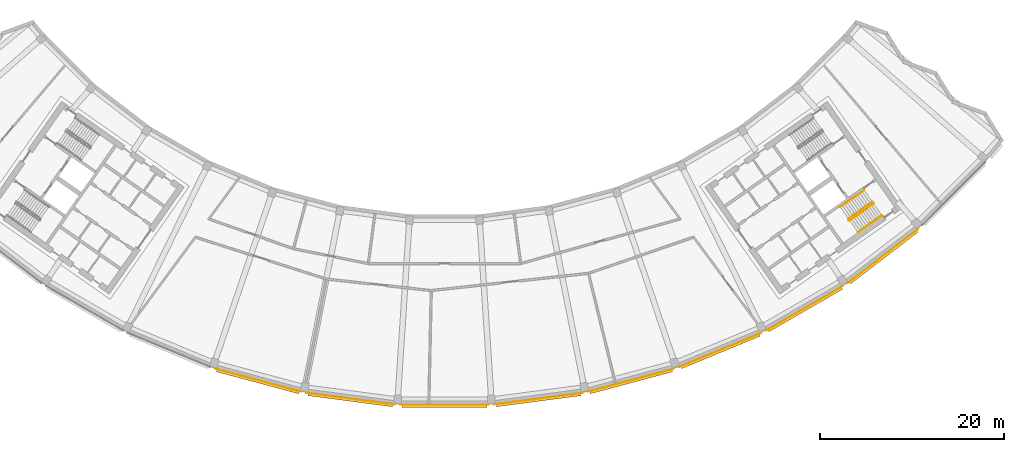
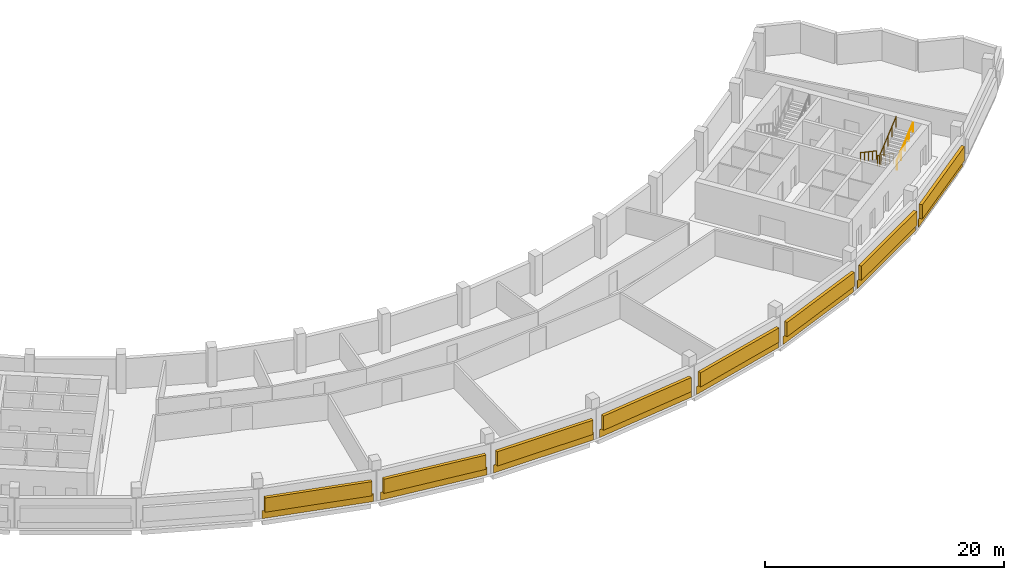
# One storey, part 10 of 11: 8 coverings, 8 shading devices, 4 railings.
"""IFC4 building model written with IfcOpenShell, lengths in metres."""

from ifc_helpers import new_model, si_unit, direction, frame, origin, origin_2d, place, context, subcontext, project, spatial, rectangle, circle, extrude, material, layer, layer_set, type_object, element, save


model = new_model("IFC4")

# Units and contexts
model_context = context("Model", 3, precision=1e-05, world=origin(), true_north=direction((0.0, 1.0)))
body_context = subcontext(model_context, "Body", "Model", "MODEL_VIEW")
ifc_project = project(units=[si_unit("LENGTHUNIT", "METRE"), si_unit("AREAUNIT", "SQUARE_METRE"), si_unit("VOLUMEUNIT", "CUBIC_METRE"), si_unit("PLANEANGLEUNIT", "RADIAN"), si_unit("MASSUNIT", "GRAM", prefix="KILO")], contexts=[model_context])

# Site, building, storey
site_placement = place(None, origin())
site = spatial("IfcSite", under=ifc_project, at=site_placement, CompositionType="ELEMENT")
building_placement = place(site_placement, origin())
building = spatial("IfcBuilding", under=site, at=building_placement, Name="Qamariyya Broadcast Tower", CompositionType="ELEMENT")
storey_placement = place(building_placement, frame((0.0, 0.0, 298.699951171875)))
storey = spatial("IfcBuildingStorey", under=building, at=storey_placement, Name="L72", CompositionType="ELEMENT", Elevation=298.699951171875)

# Railings
ifc_material_1 = material(Name="Painted steel", Category="steel")
railing_type_1 = type_object("IfcRailingType", Name="Stair guard", PredefinedType="GUARDRAIL", material=ifc_material_1)
railing_1_placement = place(storey_placement, frame((46.48095703125, -56.14306640625, 0.166748046875)))
element("IfcRailing", 1, at=railing_1_placement, inside=storey, type_object=railing_type_1, Name="L72 ST-E1 stair guard 1", PredefinedType="GUARDRAIL", context=body_context, shape_type="SweptSolid", body=[
    extrude(circle(Radius=0.02392578125, at=origin_2d()), frame((0.0, 0.0, 1.076171875), z_axis=(-0.710227693972, -0.497285465629, 0.498280832854), x_axis=(0.573559936391, -0.819163597438, 0.0)), (0.0, 0.0, 1.0), 3.67919921875),
    extrude(circle(Radius=0.02392578125, at=origin_2d()), frame((-2.613037109375, -1.82958984375, 2.9091796875), z_axis=(-0.176149252506, -0.984363469884, 0.0), x_axis=(0.984363469884, -0.176149252506, 0.0)), (0.0, 0.0, 1.0), 0.07080078125),
    extrude(circle(Radius=0.02392578125, at=origin_2d()), frame((-2.62548828125, -1.899169921875, 2.9091796875), z_axis=(0.57368046593, -0.819079192149, 0.0), x_axis=(0.819079192149, 0.57368046593, 0.0)), (0.0, 0.0, 1.0), 0.150146484375),
    extrude(circle(Radius=0.02099609375, at=origin_2d()), origin(), (0.0, 0.0, 1.0), 1.052001953125),
    extrude(circle(Radius=0.02099609375, at=origin_2d()), frame((-0.6533203125, -0.45751953125, 0.458251953125)), (0.0, 0.0, 1.0), 1.052001953125),
    extrude(circle(Radius=0.02099609375, at=origin_2d()), frame((-1.306640625, -0.914794921875, 0.91650390625)), (0.0, 0.0, 1.0), 1.052001953125),
    extrude(circle(Radius=0.02099609375, at=origin_2d()), frame((-1.959716796875, -1.3720703125, 1.375)), (0.0, 0.0, 1.0), 1.052001953125),
    extrude(circle(Radius=0.02099609375, at=origin_2d()), frame((-2.613037109375, -1.82958984375, 1.833251953125)), (0.0, 0.0, 1.0), 1.052001953125),
    extrude(circle(Radius=0.02099609375, at=origin_2d()), frame((-2.62548828125, -1.899169921875, 1.833251953125)), (0.0, 0.0, 1.0), 1.052001953125),
    extrude(circle(Radius=0.02099609375, at=origin_2d()), frame((-2.539306640625, -2.022216796875, 1.833251953125)), (0.0, 0.0, 1.0), 1.052001953125),
])
railing_2_placement = place(storey_placement, frame((44.01123046875, -58.177490234375, 2.166748046875)))
element("IfcRailing", 2, at=railing_2_placement, inside=storey, type_object=railing_type_1, Name="L72 ST-E1 stair guard 2", PredefinedType="GUARDRAIL", context=body_context, shape_type="SweptSolid", body=[
    extrude(circle(Radius=0.02392578125, at=origin_2d()), frame((0.0, 0.0, 1.076171875), z_axis=(0.710204256923, 0.497335411159, 0.498264389913), x_axis=(-0.573611290809, 0.819127637829, 0.0)), (0.0, 0.0, 1.0), 3.67919921875),
    extrude(circle(Radius=0.02099609375, at=origin_2d()), origin(), (0.0, 0.0, 1.0), 1.052001953125),
    extrude(circle(Radius=0.02099609375, at=origin_2d()), frame((0.6533203125, 0.45751953125, 0.458251953125)), (0.0, 0.0, 1.0), 1.052001953125),
    extrude(circle(Radius=0.02099609375, at=origin_2d()), frame((1.306640625, 0.9150390625, 0.91650390625)), (0.0, 0.0, 1.0), 1.052001953125),
    extrude(circle(Radius=0.02099609375, at=origin_2d()), frame((1.959716796875, 1.372314453125, 1.375)), (0.0, 0.0, 1.0), 1.052001953125),
    extrude(circle(Radius=0.02099609375, at=origin_2d()), frame((2.613037109375, 1.829833984375, 1.833251953125)), (0.0, 0.0, 1.0), 1.052001953125),
])
ifc_material_2 = material(Name="Stainless steel", Category="steel")
railing_type_2 = type_object("IfcRailingType", Name="Stair handrail", PredefinedType="HANDRAIL", material=ifc_material_2)
railing_3_placement = place(storey_placement, frame((45.591796875, -54.873291015625, 0.166748046875)))
element("IfcRailing", 3, at=railing_3_placement, inside=storey, type_object=railing_type_2, Name="L72 ST-E1 stair handrail 1", PredefinedType="HANDRAIL", context=body_context, shape_type="SweptSolid", body=[
    extrude(circle(Radius=0.02392578125, at=origin_2d()), frame((0.0, 0.0, 0.8759765625), z_axis=(-0.710227693972, -0.497285465629, 0.498280832854), x_axis=(0.573559936391, -0.819163597438, 0.0)), (0.0, 0.0, 1.0), 3.67919921875),
    extrude(circle(Radius=0.02099609375, at=origin_2d()), origin(), (0.0, 0.0, 1.0), 0.851806640625),
    extrude(circle(Radius=0.02099609375, at=origin_2d()), frame((-0.6533203125, -0.45751953125, 0.458251953125)), (0.0, 0.0, 1.0), 0.851806640625),
    extrude(circle(Radius=0.02099609375, at=origin_2d()), frame((-1.306640625, -0.914794921875, 0.91650390625)), (0.0, 0.0, 1.0), 0.851806640625),
    extrude(circle(Radius=0.02099609375, at=origin_2d()), frame((-1.959716796875, -1.3720703125, 1.375)), (0.0, 0.0, 1.0), 0.851806640625),
    extrude(circle(Radius=0.02099609375, at=origin_2d()), frame((-2.613037109375, -1.82958984375, 1.833251953125)), (0.0, 0.0, 1.0), 0.851806640625),
])
railing_4_placement = place(storey_placement, frame((44.900390625, -59.447265625, 2.166748046875)))
element("IfcRailing", 4, at=railing_4_placement, inside=storey, type_object=railing_type_2, Name="L72 ST-E1 stair handrail 2", PredefinedType="HANDRAIL", context=body_context, shape_type="SweptSolid", body=[
    extrude(circle(Radius=0.02392578125, at=origin_2d()), frame((0.0, 0.0, 0.8759765625), z_axis=(0.710204256923, 0.497335411159, 0.498264389913), x_axis=(-0.573611290809, 0.819127637829, 0.0)), (0.0, 0.0, 1.0), 3.67919921875),
    extrude(circle(Radius=0.02099609375, at=origin_2d()), origin(), (0.0, 0.0, 1.0), 0.851806640625),
    extrude(circle(Radius=0.02099609375, at=origin_2d()), frame((0.6533203125, 0.45751953125, 0.458251953125)), (0.0, 0.0, 1.0), 0.851806640625),
    extrude(circle(Radius=0.02099609375, at=origin_2d()), frame((1.306640625, 0.9150390625, 0.91650390625)), (0.0, 0.0, 1.0), 0.851806640625),
    extrude(circle(Radius=0.02099609375, at=origin_2d()), frame((1.959716796875, 1.372314453125, 1.375)), (0.0, 0.0, 1.0), 0.851806640625),
    extrude(circle(Radius=0.02099609375, at=origin_2d()), frame((2.613037109375, 1.829833984375, 1.833251953125)), (0.0, 0.0, 1.0), 0.851806640625),
])

# Coverings
ifc_material_3 = material(Name="Glazed terracotta", Category="masonry")
ifc_layer = layer(ifc_material_3, 0.030029296875)
ifc_layer_set = layer_set([ifc_layer], Name="Terracotta cladding panel 30, crown band")
covering_type = type_object("IfcCoveringType", Name="Terracotta cladding panel 30, crown band", PredefinedType="CLADDING", material=ifc_layer_set)
for number, where, z_axis, x_axis, name in (
    (5, (-20.239013671875, -75.53271484375, 0.0), (0.0, 0.0, 1.0), (0.965925826289, -0.258819045103, 0.0), "e-cl-L72-05"),
    (6, (-10.206787109375, -77.5283203125, 0.0), (0.0, 0.0, 1.0), (0.991444861374, -0.13052619222, 0.0), "e-cl-L72-06"),
    (7, (0.0, -78.197265625, 0.0), (0.0, 0.0, 1.0), (1.0, 0.0, 0.0), "e-cl-L72-07"),
    (8, (10.206787109375, -77.5283203125, 0.0), (0.0, 0.0, 1.0), (0.991444861374, 0.13052619222, 0.0), "e-cl-L72-08"),
    (9, (20.239013671875, -75.53271484375, 0.0), (0.0, 0.0, 1.0), (0.965925826289, 0.258819045103, 0.0), "e-cl-L72-09"),
    (10, (29.9248046875, -72.244873046875, 0.0), (0.0, 0.0, 1.0), (0.923879532511, 0.382683432365, 0.0), "e-cl-L72-10"),
    (11, (39.0986328125, -67.720703125, 0.0), (0.0, 0.0, 1.0), (0.866025403784, 0.5, 0.0), "e-cl-L72-11"),
    (12, (47.603515625, -62.0380859375, 0.0), (0.0, 0.0, 1.0), (0.793353340291, 0.608761429009, 0.0), "e-cl-L72-12"),
):
    element("IfcCovering", number, at=place(storey_placement, frame(where, z_axis=z_axis, x_axis=x_axis)), inside=storey, type_object=covering_type, Name=name, PredefinedType="CLADDING", context=body_context, shape_type="SweptSolid", body=[
        extrude(rectangle(XDim=9.648681640625, YDim=0.030029296875, at=origin_2d()), origin(), (0.0, 0.0, 1.0), 0.800048828125),
    ])

# Shading devices
shading_device_type = type_object("IfcShadingDeviceType", Name="Terracotta louvre bank", PredefinedType="USERDEFINED", material=ifc_material_3)
for number, where, z_axis, x_axis, name in (
    (13, (-20.27392578125, -75.6630859375, 0.80029296875), (0.0, 0.0, 1.0), (0.965925826289, -0.258819045103, 0.0), "e-lv-L72-05"),
    (14, (-10.224365234375, -77.662109375, 0.80029296875), (0.0, 0.0, 1.0), (0.991444861374, -0.13052619222, 0.0), "e-lv-L72-06"),
    (15, (0.0, -78.332275390625, 0.80029296875), (0.0, 0.0, 1.0), (1.0, 0.0, 0.0), "e-lv-L72-07"),
    (16, (10.224365234375, -77.662109375, 0.80029296875), (0.0, 0.0, 1.0), (0.991444861374, 0.13052619222, 0.0), "e-lv-L72-08"),
    (17, (20.27392578125, -75.6630859375, 0.80029296875), (0.0, 0.0, 1.0), (0.965925826289, 0.258819045103, 0.0), "e-lv-L72-09"),
    (18, (29.9765625, -72.36962890625, 0.80029296875), (0.0, 0.0, 1.0), (0.923879532511, 0.382683432365, 0.0), "e-lv-L72-10"),
    (19, (39.166015625, -67.837646484375, 0.80029296875), (0.0, 0.0, 1.0), (0.866025403784, 0.5, 0.0), "e-lv-L72-11"),
    (20, (47.685546875, -62.145263671875, 0.80029296875), (0.0, 0.0, 1.0), (0.793353340291, 0.608761429009, 0.0), "e-lv-L72-12"),
):
    element("IfcShadingDevice", number, at=place(storey_placement, frame(where, z_axis=z_axis, x_axis=x_axis)), inside=storey, type_object=shading_device_type, Name=name, ObjectType="LOUVRE", PredefinedType="USERDEFINED", context=body_context, shape_type="SweptSolid", body=[
        extrude(rectangle(XDim=9.248779296875, YDim=0.300048828125, at=origin_2d()), origin(), (0.0, 0.0, 1.0), 1.449951171875),
    ])

save(model, "model.ifc")
